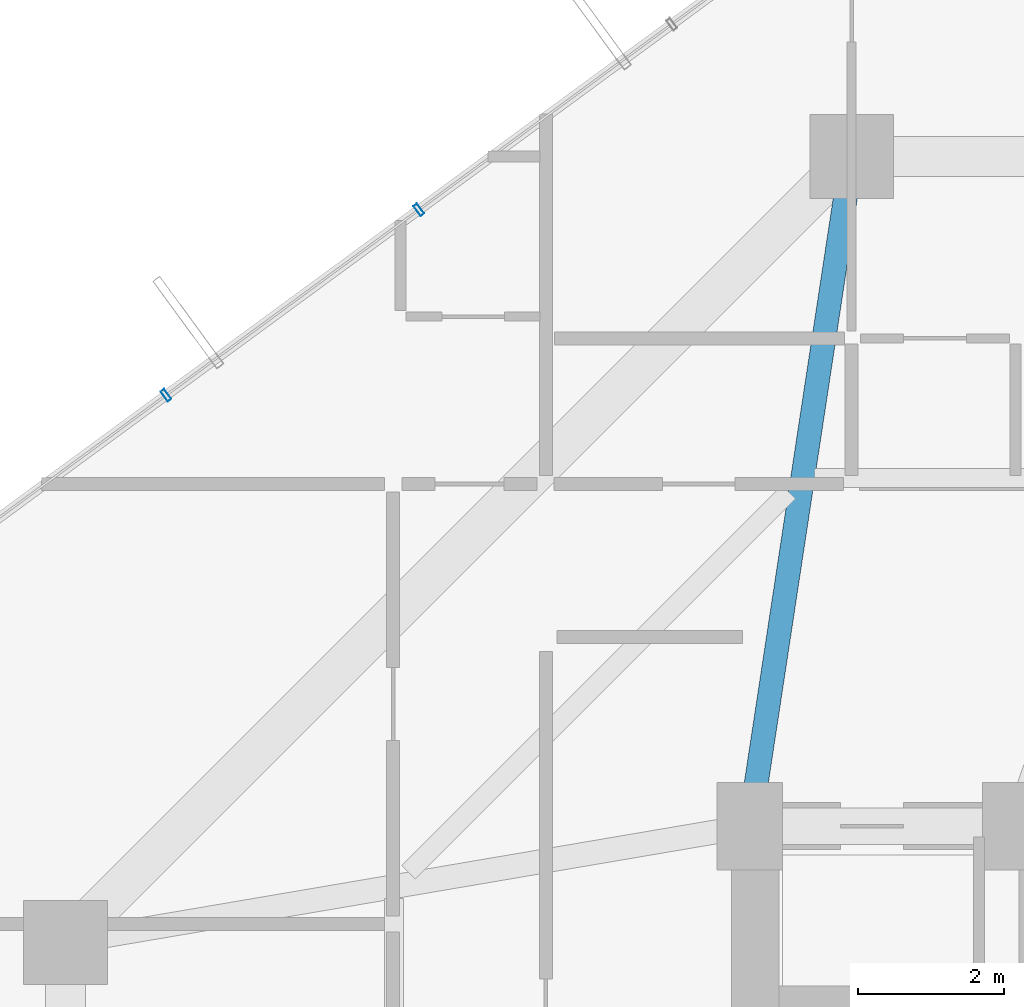
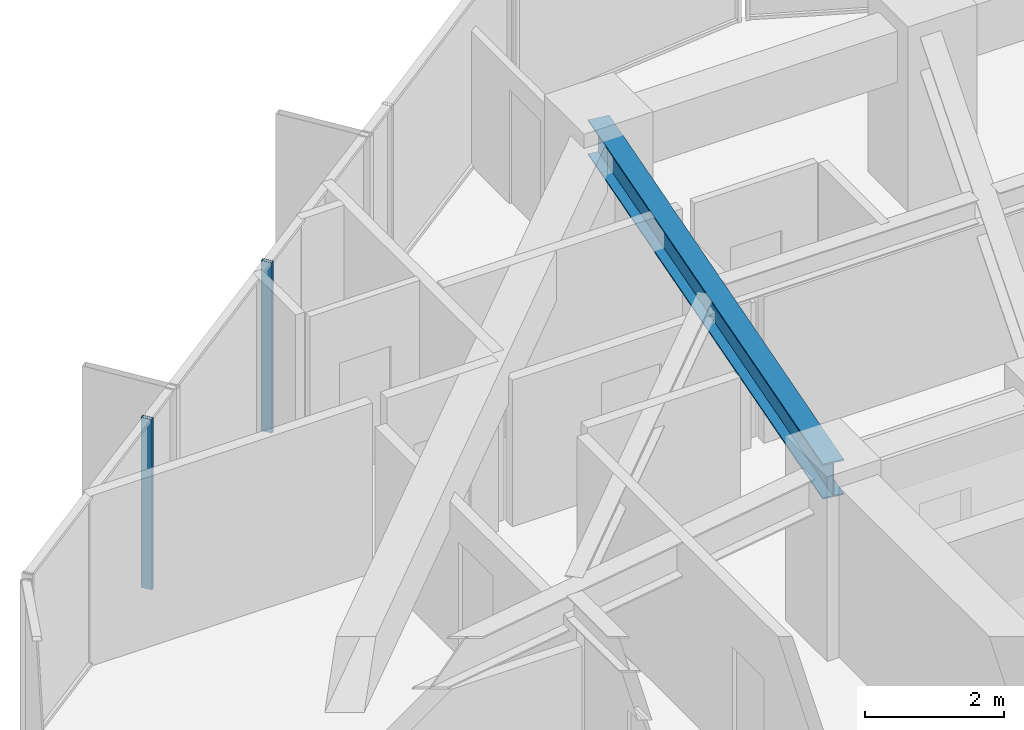
# One storey, part 19 of 34: 2 members, 1 beam, 1 element without a shape of its own.
"""IFC4 building model written with IfcOpenShell, lengths in metres."""

from ifc_helpers import new_model, si_unit, direction, frame, origin, origin_2d, place, context, subcontext, project, spatial, hollow_rectangle, i_section, extrude, source, transform, mapped, material, layer, layer_set, material_profile, profile_set, type_object, element, aggregate, save


model = new_model("IFC4")

# Units and contexts
model_context = context("Model", 3, precision=1e-05, world=origin(), true_north=direction((0.0, 1.0)))
body_context = subcontext(model_context, "Body", "Model", "MODEL_VIEW")
ifc_project = project(units=[si_unit("LENGTHUNIT", "METRE"), si_unit("AREAUNIT", "SQUARE_METRE"), si_unit("VOLUMEUNIT", "CUBIC_METRE"), si_unit("PLANEANGLEUNIT", "RADIAN"), si_unit("MASSUNIT", "GRAM", prefix="KILO")], contexts=[model_context])

# Site, building, storey
site_placement = place(None, origin())
site = spatial("IfcSite", under=ifc_project, at=site_placement, CompositionType="ELEMENT")
building_placement = place(site_placement, origin())
building = spatial("IfcBuilding", under=site, at=building_placement, Name="Veraguas Prism Commons", CompositionType="ELEMENT")
storey_placement = place(building_placement, frame((0.0, 0.0, 149.0)))
storey = spatial("IfcBuildingStorey", under=building, at=storey_placement, Name="L42", CompositionType="ELEMENT", Elevation=149.0)

# Beam
ifc_material_1 = material(Name="Steel ASTM A992 Grade 50", Category="steel")
ifc_material_profile_1 = material_profile(ifc_material_1, i_section(OverallWidth=0.327880859375, OverallDepth=0.6220703125, WebThickness=0.015380859375, FlangeThickness=0.0244140625, at=origin_2d()), Name="W610X195")
ifc_profile_set_1 = profile_set([ifc_material_profile_1], Name="Steel ASTM A992 Grade 50")
beam_type = type_object("IfcBeamType", Name="Zone 2 Radial Girder W610x195", PredefinedType="BEAM", material=ifc_profile_set_1)
beam_placement = place(storey_placement, frame((18.60009765625, 40.199951171875, 2.68896484375), z_axis=(-0.150458162136, -0.98861637729, 0.0), x_axis=(0.98861637729, -0.150458162136, 0.0)))
element("IfcBeam", 1, at=beam_placement, inside=storey, type_object=beam_type, Name="Radial Floor Girder L42-RD06", PredefinedType="BEAM", context=body_context, shape_type="SweptSolid", body=[
    extrude(i_section(OverallWidth=0.327880859375, OverallDepth=0.6220703125, WebThickness=0.015380859375, FlangeThickness=0.0244140625, at=origin_2d()), origin(), (0.0, 0.0, 1.0), 9.305908203125),
])

# Curtain wall, members
ifc_material_2 = material(Name="Anodised aluminium EN AW-6063 T6", Category="aluminium")
ifc_layer = layer(ifc_material_2, 0.169921875, Name="Unitised Flush Curtain Wall Zone 2", Category="aluminium")
ifc_layer_set = layer_set([ifc_layer], Name="Anodised aluminium EN AW-6063 T6")
curtain_wall_type = type_object("IfcCurtainWallType", Name="Unitised Flush Curtain Wall Zone 2", PredefinedType="NOTDEFINED", material=ifc_layer_set)
curtain_wall_placement = place(storey_placement, origin())
curtain_wall = element("IfcCurtainWall", 2, at=curtain_wall_placement, inside=storey, type_object=curtain_wall_type, Name="Tower Facade Curtain Wall L42-F2", PredefinedType="NOTDEFINED")
ifc_material_profile_2 = material_profile(ifc_material_2, hollow_rectangle(XDim=0.06005859375, YDim=0.169921875, WallThickness=0.00390625, at=origin_2d()), Name="AL60X170X4")
ifc_profile_set_2 = profile_set([ifc_material_profile_2], Name="Anodised aluminium EN AW-6063 T6")
member_type = type_object("IfcMemberType", Name="Curtain Wall Mullion Lower AL 60x170x4", PredefinedType="MULLION", material=ifc_profile_set_2)
shared_shape = source(origin(), body_context, "Body", "SweptSolid", [
    extrude(hollow_rectangle(XDim=0.06005859375, YDim=0.169921875, WallThickness=0.00390625, at=origin_2d()), origin(), (0.0, 0.0, 1.0), 3.0),
])
member_1_placement = place(storey_placement, frame((12.654541015625, 39.467529296875, 0.0), z_axis=(0.0, 0.0, 1.0), x_axis=(-0.806343453529, -0.591447575826, 0.0)))
member_1 = element("IfcMember", 3, at=member_1_placement, type_object=member_type, Name="CW-Z2 Mullion 3", PredefinedType="MULLION", context=body_context, shape_type="MappedRepresentation", body=[
    mapped(shared_shape, transform((0.0, 0.0, 0.0), scale=1.0)),
])
member_2_placement = place(storey_placement, frame((9.180419921875, 36.919189453125, 0.0), z_axis=(0.0, 0.0, 1.0), x_axis=(-0.806343453529, -0.591447575826, 0.0)))
member_2 = element("IfcMember", 4, at=member_2_placement, type_object=member_type, Name="CW-Z2 Mullion 4", PredefinedType="MULLION", context=body_context, shape_type="MappedRepresentation", body=[
    mapped(shared_shape, transform((0.0, 0.0, 0.0), scale=1.0)),
])
aggregate(curtain_wall, [member_1, member_2])

save(model, "model.ifc")
